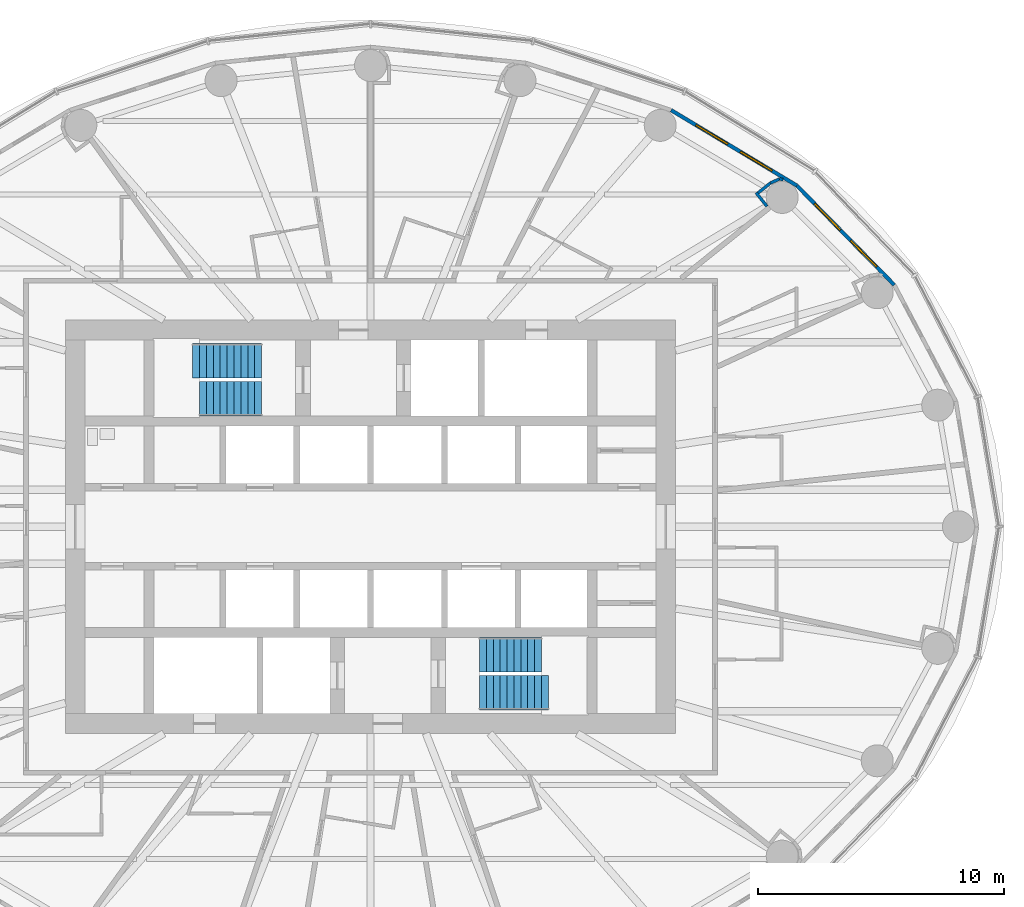
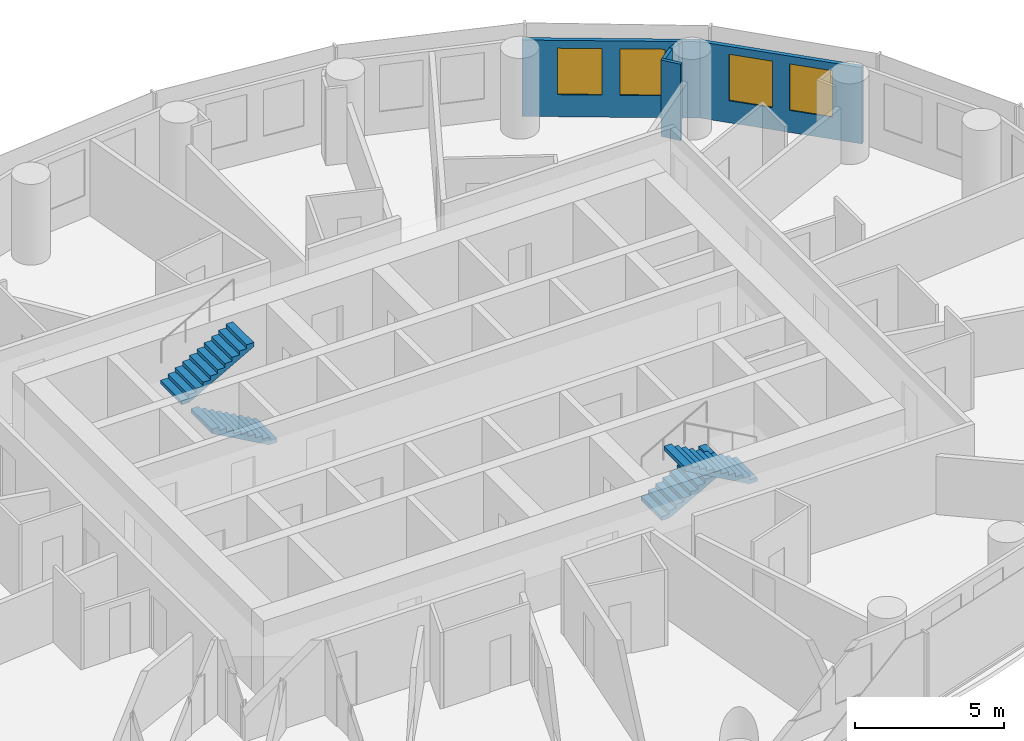
# One storey, part 12 of 14: 6 walls, 4 stair flights, 4 windows, 4 openings, 2 elements without a shape of their own.
"""IFC4 building model written with IfcOpenShell, lengths in metres."""

from ifc_helpers import new_model, si_unit, direction, frame, frame_2d, origin, place, context, subcontext, project, spatial, polyline, rectangle, outline, extrude, material, layer, layer_set, type_object, element, fill, aggregate, save


model = new_model("IFC4")

# Units and contexts
model_context = context("Model", 3, precision=1e-05, world=origin(), true_north=direction((0.0, 1.0)))
body_context = subcontext(model_context, "Body", "Model", "MODEL_VIEW")
ifc_project = project(units=[si_unit("LENGTHUNIT", "METRE"), si_unit("AREAUNIT", "SQUARE_METRE"), si_unit("VOLUMEUNIT", "CUBIC_METRE"), si_unit("PLANEANGLEUNIT", "RADIAN"), si_unit("MASSUNIT", "GRAM", prefix="KILO")], contexts=[model_context])

# Site, building, storey
site_placement = place(None, origin())
site = spatial("IfcSite", under=ifc_project, at=site_placement, CompositionType="ELEMENT")
building_placement = place(site_placement, origin())
building = spatial("IfcBuilding", under=site, at=building_placement, Name="Hankou Lantern Tower", CompositionType="ELEMENT")
storey_placement = place(building_placement, frame((0.0, 0.0, 115.5)))
storey = spatial("IfcBuildingStorey", under=building, at=storey_placement, Name="L29", CompositionType="ELEMENT", Elevation=115.5)

# Wall, openings, windows
ifc_material_1 = material(Name="Aluminium spandrel panel on steel studs", Category="steel")
ifc_layer_1 = layer(ifc_material_1, 0.14990234375)
ifc_layer_set_1 = layer_set([ifc_layer_1], Name="Aluminium spandrel panel on steel studs")
wall_type_1 = type_object("IfcWallType", Name="EW1 INNER SKIN WALL 150", PredefinedType="ELEMENTEDWALL", material=ifc_layer_set_1)
wall_1_placement = place(storey_placement, frame((21.287353515625, 9.83203125, 0.0), z_axis=(0.0, 0.0, 1.0), x_axis=(-0.700136650834, 0.714008872605, 0.0)))
wall_1 = element("IfcWall", 1, at=wall_1_placement, inside=storey, type_object=wall_type_1, Name="Inner skin R03-R04 L29", PredefinedType="ELEMENTEDWALL", context=body_context, shape_type="SweptSolid", body=[
    extrude(rectangle(XDim=5.6494140625, YDim=0.14990234375, at=frame_2d((2.82470703125, 0.0))), origin(), (0.0, 0.0, 1.0), 3.1201171875),
])
opening_1_placement = place(wall_1_placement, frame((1.024658203125, 0.0, 0.89990234375)))
opening_1 = element("IfcOpeningElement", 2, at=opening_1_placement, cuts=wall_1, Name="Opening W2", PredefinedType="OPENING", context=body_context, shape_type="SweptSolid", body=[
    extrude(rectangle(XDim=1.5, YDim=1.89990234375, at=frame_2d((0.75, 0.949951171875))), frame((0.0, 0.0849609375, 0.0), z_axis=(0.0, -1.0, 0.0), x_axis=(1.0, 0.0, 0.0)), (0.0, 0.0, 1.0), 0.169921875),
])
opening_2_placement = place(wall_1_placement, frame((3.12451171875, 0.0, 0.89990234375)))
opening_2 = element("IfcOpeningElement", 3, at=opening_2_placement, cuts=wall_1, Name="Opening W2", PredefinedType="OPENING", context=body_context, shape_type="SweptSolid", body=[
    extrude(rectangle(XDim=1.5, YDim=1.89990234375, at=frame_2d((0.75, 0.949951171875))), frame((0.0, 0.0849609375, 0.0), z_axis=(0.0, -1.0, 0.0), x_axis=(1.0, 0.0, 0.0)), (0.0, 0.0, 1.0), 0.169921875),
])
ifc_material_2 = material(Name="Aluminium framed double glazed window", Category="aluminium")
window_type = type_object("IfcWindowType", Name="W2 GUEST ROOM WINDOW 1500X1900", PartitioningType="DOUBLE_PANEL_VERTICAL", PredefinedType="WINDOW", material=ifc_material_2)
window_1_placement = place(opening_1_placement, origin())
window_1 = element("IfcWindow", 4, at=window_1_placement, inside=storey, type_object=window_type, Name="Window R03.1 L29", OverallHeight=1.89990234375, OverallWidth=1.5, PartitioningType="SINGLE_PANEL", PredefinedType="WINDOW", context=body_context, shape_type="SweptSolid", body=[
    extrude(rectangle(XDim=1.5, YDim=1.89990234375, at=frame_2d((0.75, 0.949951171875))), frame((0.0, 0.030029296875, 0.0), z_axis=(0.0, -1.0, 0.0), x_axis=(1.0, 0.0, 0.0)), (0.0, 0.0, 1.0), 0.06005859375),
])
fill(opening_1, window_1)
window_2_placement = place(opening_2_placement, origin())
window_2 = element("IfcWindow", 5, at=window_2_placement, inside=storey, type_object=window_type, Name="Window R03.2 L29", OverallHeight=1.89990234375, OverallWidth=1.5, PartitioningType="SINGLE_PANEL", PredefinedType="WINDOW", context=body_context, shape_type="SweptSolid", body=[
    extrude(rectangle(XDim=1.5, YDim=1.89990234375, at=frame_2d((0.75, 0.949951171875))), frame((0.0, 0.030029296875, 0.0), z_axis=(0.0, -1.0, 0.0), x_axis=(1.0, 0.0, 0.0)), (0.0, 0.0, 1.0), 0.06005859375),
])
fill(opening_2, window_2)

wall_2_placement = place(storey_placement, frame((17.33203125, 13.86572265625, 0.0), z_axis=(0.0, 0.0, 1.0), x_axis=(-0.857308573723, 0.514802884044, 0.0)))
wall_2 = element("IfcWall", 6, at=wall_2_placement, inside=storey, type_object=wall_type_1, Name="Inner skin R04-R05 L29", PredefinedType="ELEMENTEDWALL", context=body_context, shape_type="SweptSolid", body=[
    extrude(rectangle(XDim=5.961181640625, YDim=0.14990234375, at=frame_2d((2.98046875, 0.0))), origin(), (0.0, 0.0, 1.0), 3.1201171875),
])
opening_3_placement = place(wall_2_placement, frame((1.1806640625, 0.0, 0.89990234375)))
opening_3 = element("IfcOpeningElement", 7, at=opening_3_placement, cuts=wall_2, Name="Opening W2", PredefinedType="OPENING", context=body_context, shape_type="SweptSolid", body=[
    extrude(rectangle(XDim=1.5, YDim=1.89990234375, at=frame_2d((0.75, 0.949951171875))), frame((0.0, 0.0849609375, 0.0), z_axis=(0.0, -1.0, 0.0), x_axis=(1.0, 0.0, 0.0)), (0.0, 0.0, 1.0), 0.169921875),
])
opening_4_placement = place(wall_2_placement, frame((3.280517578125, 0.0, 0.89990234375)))
opening_4 = element("IfcOpeningElement", 8, at=opening_4_placement, cuts=wall_2, Name="Opening W2", PredefinedType="OPENING", context=body_context, shape_type="SweptSolid", body=[
    extrude(rectangle(XDim=1.5, YDim=1.89990234375, at=frame_2d((0.75, 0.949951171875))), frame((0.0, 0.0849609375, 0.0), z_axis=(0.0, -1.0, 0.0), x_axis=(1.0, 0.0, 0.0)), (0.0, 0.0, 1.0), 0.169921875),
])
window_3_placement = place(opening_3_placement, origin())
window_3 = element("IfcWindow", 9, at=window_3_placement, inside=storey, type_object=window_type, Name="Window R04.1 L29", OverallHeight=1.89990234375, OverallWidth=1.5, PartitioningType="SINGLE_PANEL", PredefinedType="WINDOW", context=body_context, shape_type="SweptSolid", body=[
    extrude(rectangle(XDim=1.5, YDim=1.89990234375, at=frame_2d((0.75, 0.949951171875))), frame((0.0, 0.030029296875, 0.0), z_axis=(0.0, -1.0, 0.0), x_axis=(1.0, 0.0, 0.0)), (0.0, 0.0, 1.0), 0.06005859375),
])
fill(opening_3, window_3)
window_4_placement = place(opening_4_placement, origin())
window_4 = element("IfcWindow", 10, at=window_4_placement, inside=storey, type_object=window_type, Name="Window R04.2 L29", OverallHeight=1.89990234375, OverallWidth=1.5, PartitioningType="SINGLE_PANEL", PredefinedType="WINDOW", context=body_context, shape_type="SweptSolid", body=[
    extrude(rectangle(XDim=1.5, YDim=1.89990234375, at=frame_2d((0.75, 0.949951171875))), frame((0.0, 0.030029296875, 0.0), z_axis=(0.0, -1.0, 0.0), x_axis=(1.0, 0.0, 0.0)), (0.0, 0.0, 1.0), 0.06005859375),
])
fill(opening_4, window_4)

# Walls
ifc_material_3 = material(Name="Masonry lightweight concrete block", Category="masonry")
ifc_layer_2 = layer(ifc_material_3, 0.1201171875)
ifc_layer_set_2 = layer_set([ifc_layer_2], Name="Masonry lightweight concrete block")
wall_type_2 = type_object("IfcWallType", Name="IW4 PARTITION 120", PredefinedType="PARTITIONING", material=ifc_layer_set_2)
wall_3_placement = place(storey_placement, frame((16.116943359375, 13.021728515625, 0.0), z_axis=(0.0, 0.0, 1.0), x_axis=(-0.62465344249, 0.780902091677, 0.0)))
element("IfcWall", 11, at=wall_3_placement, inside=storey, type_object=wall_type_2, Name="Column casing R04 return", PredefinedType="PARTITIONING", context=body_context, shape_type="SweptSolid", body=[
    extrude(rectangle(XDim=0.715576171875, YDim=0.1201171875, at=frame_2d((0.35791015625, 0.0))), origin(), (0.0, 0.0, 1.0), 3.1201171875),
])
wall_4_placement = place(storey_placement, frame((15.754150390625, 13.5712890625, 0.0), z_axis=(0.0, 0.0, 1.0), x_axis=(0.780905453553, 0.624649239663, 0.0)))
element("IfcWall", 12, at=wall_4_placement, inside=storey, type_object=wall_type_2, Name="Column casing R04", PredefinedType="PARTITIONING", context=body_context, shape_type="SweptSolid", body=[
    extrude(rectangle(XDim=0.64990234375, YDim=0.1201171875, at=frame_2d((0.324951171875, 0.0))), origin(), (0.0, 0.0, 1.0), 3.1201171875),
])
wall_5_placement = place(storey_placement, frame((16.26171875, 13.977294921875, 0.0), z_axis=(0.0, 0.0, 1.0), x_axis=(0.915985403703, 0.401211590314, 0.0)))
element("IfcWall", 13, at=wall_5_placement, inside=storey, type_object=wall_type_2, Name="Column casing R04", PredefinedType="PARTITIONING", context=body_context, shape_type="SweptSolid", body=[
    extrude(rectangle(XDim=0.391357421875, YDim=0.1201171875, at=frame_2d((0.19580078125, 0.0))), origin(), (0.0, 0.0, 1.0), 3.1201171875),
])
wall_6_placement = place(storey_placement, frame((16.6201171875, 14.13427734375, 0.0), z_axis=(0.0, 0.0, 1.0), x_axis=(0.993941871493, -0.109907033867, 0.0)))
element("IfcWall", 14, at=wall_6_placement, inside=storey, type_object=wall_type_2, Name="Column casing R04", PredefinedType="PARTITIONING", context=body_context, shape_type="SweptSolid", body=[
    extrude(rectangle(XDim=0.1533203125, YDim=0.1201171875, at=frame_2d((0.07666015625, 0.0))), origin(), (0.0, 0.0, 1.0), 3.1201171875),
])

# Stair, stair flight
ifc_material_4 = material(Name="Concrete C40", Category="concrete")
stair_type = type_object("IfcStairType", Name="ST33 CORE STAIR 3300 RISE", PredefinedType="HALF_TURN_STAIR", material=ifc_material_4)
stair_1_placement = place(storey_placement, origin())
stair_1 = element("IfcStair", 15, at=stair_1_placement, inside=storey, type_object=stair_type, Name="Stair STA L29", PredefinedType="HALF_TURN_STAIR")
ifc_material_5 = material(Name="Concrete C40", Category="concrete")
stair_flight_type_1 = type_object("IfcStairFlightType", Name="CF10 CORE STAIR FLIGHT 1400 X 10 RISERS", PredefinedType="STRAIGHT", material=ifc_material_5)
stair_flight_1_placement = place(storey_placement, frame((-4.429931640625, 5.199951171875, 0.0), z_axis=(0.0, 0.0, 1.0), x_axis=(-1.0, 0.0, 0.0)))
stair_flight_1 = element("IfcStairFlight", 16, at=stair_flight_1_placement, type_object=stair_flight_type_1, Name="STA flight 1", NumberOfRisers=10, NumberOfTreads=9, PredefinedType="STRAIGHT", RiserHeight=0.157142857, TreadLength=0.28, context=body_context, shape_type="SweptSolid", body=[
    extrude(outline(polyline([(0.0, 0.0), (0.0, 0.1572265625), (0.280029296875, 0.1572265625), (0.280029296875, 0.314208984375), (0.56005859375, 0.314208984375), (0.56005859375, 0.471435546875), (0.840087890625, 0.471435546875), (0.840087890625, 0.628662109375), (1.1201171875, 0.628662109375), (1.1201171875, 0.78564453125), (1.39990234375, 0.78564453125), (1.39990234375, 0.94287109375), (1.679931640625, 0.94287109375), (1.679931640625, 1.10009765625), (1.9599609375, 1.10009765625), (1.9599609375, 1.257080078125), (2.239990234375, 1.257080078125), (2.239990234375, 1.414306640625), (2.52001953125, 1.414306640625), (2.52001953125, 1.571533203125), (2.52001953125, 1.242431640625), (0.306396484375, 0.0), (0.0, 0.0)])), frame((0.0, 0.699951171875, 0.0), z_axis=(0.0, -1.0, 0.0), x_axis=(1.0, 0.0, 0.0)), (0.0, 0.0, 1.0), 1.39990234375),
])

stair_2_placement = place(storey_placement, origin())
stair_2 = element("IfcStair", 17, at=stair_2_placement, inside=storey, type_object=stair_type, Name="Stair STB L29", PredefinedType="HALF_TURN_STAIR")
stair_flight_2_placement = place(storey_placement, frame((4.429931640625, -5.199951171875, 0.0), z_axis=(0.0, 0.0, 1.0), x_axis=(1.0, 0.0, 0.0)))
stair_flight_2 = element("IfcStairFlight", 18, at=stair_flight_2_placement, type_object=stair_flight_type_1, Name="STB flight 1", NumberOfRisers=10, NumberOfTreads=9, PredefinedType="STRAIGHT", RiserHeight=0.157142857, TreadLength=0.28, context=body_context, shape_type="SweptSolid", body=[
    extrude(outline(polyline([(0.0, 0.0), (0.0, 0.1572265625), (0.280029296875, 0.1572265625), (0.280029296875, 0.314208984375), (0.56005859375, 0.314208984375), (0.56005859375, 0.471435546875), (0.840087890625, 0.471435546875), (0.840087890625, 0.628662109375), (1.1201171875, 0.628662109375), (1.1201171875, 0.78564453125), (1.39990234375, 0.78564453125), (1.39990234375, 0.94287109375), (1.679931640625, 0.94287109375), (1.679931640625, 1.10009765625), (1.9599609375, 1.10009765625), (1.9599609375, 1.257080078125), (2.239990234375, 1.257080078125), (2.239990234375, 1.414306640625), (2.52001953125, 1.414306640625), (2.52001953125, 1.571533203125), (2.52001953125, 1.242431640625), (0.306396484375, 0.0), (0.0, 0.0)])), frame((0.0, 0.699951171875, 0.0), z_axis=(0.0, -1.0, 0.0), x_axis=(1.0, 0.0, 0.0)), (0.0, 0.0, 1.0), 1.39990234375),
])

# Stair flight
ifc_material_6 = material(Name="Concrete C40", Category="concrete")
stair_flight_type_2 = type_object("IfcStairFlightType", Name="CF11 CORE STAIR FLIGHT 1400 X 11 RISERS", PredefinedType="STRAIGHT", material=ifc_material_6)
stair_flight_3_placement = place(storey_placement, frame((-7.22998046875, 6.75, 1.571533203125), z_axis=(0.0, 0.0, 1.0), x_axis=(1.0, 0.0, 0.0)))
stair_flight_3 = element("IfcStairFlight", 19, at=stair_flight_3_placement, type_object=stair_flight_type_2, Name="STA flight 2", NumberOfRisers=11, NumberOfTreads=10, PredefinedType="STRAIGHT", RiserHeight=0.157142857, TreadLength=0.28, context=body_context, shape_type="SweptSolid", body=[
    extrude(outline(polyline([(0.0, 0.0), (0.0, 0.1572265625), (0.280029296875, 0.1572265625), (0.280029296875, 0.314208984375), (0.56005859375, 0.314208984375), (0.56005859375, 0.471435546875), (0.840087890625, 0.471435546875), (0.840087890625, 0.628662109375), (1.1201171875, 0.628662109375), (1.1201171875, 0.78564453125), (1.39990234375, 0.78564453125), (1.39990234375, 0.94287109375), (1.679931640625, 0.94287109375), (1.679931640625, 1.10009765625), (1.9599609375, 1.10009765625), (1.9599609375, 1.257080078125), (2.239990234375, 1.257080078125), (2.239990234375, 1.414306640625), (2.52001953125, 1.414306640625), (2.52001953125, 1.571533203125), (2.800048828125, 1.571533203125), (2.800048828125, 1.728515625), (2.800048828125, 1.3994140625), (0.306396484375, 0.0), (0.0, 0.0)])), frame((0.0, 0.699951171875, 0.0), z_axis=(0.0, -1.0, 0.0), x_axis=(1.0, 0.0, 0.0)), (0.0, 0.0, 1.0), 1.39990234375),
])

aggregate(stair_1, [stair_flight_1, stair_flight_3])

stair_flight_4_placement = place(storey_placement, frame((7.22998046875, -6.75, 1.571533203125), z_axis=(0.0, 0.0, 1.0), x_axis=(-1.0, 0.0, 0.0)))
stair_flight_4 = element("IfcStairFlight", 20, at=stair_flight_4_placement, type_object=stair_flight_type_2, Name="STB flight 2", NumberOfRisers=11, NumberOfTreads=10, PredefinedType="STRAIGHT", RiserHeight=0.157142857, TreadLength=0.28, context=body_context, shape_type="SweptSolid", body=[
    extrude(outline(polyline([(0.0, 0.0), (0.0, 0.1572265625), (0.280029296875, 0.1572265625), (0.280029296875, 0.314208984375), (0.56005859375, 0.314208984375), (0.56005859375, 0.471435546875), (0.840087890625, 0.471435546875), (0.840087890625, 0.628662109375), (1.1201171875, 0.628662109375), (1.1201171875, 0.78564453125), (1.39990234375, 0.78564453125), (1.39990234375, 0.94287109375), (1.679931640625, 0.94287109375), (1.679931640625, 1.10009765625), (1.9599609375, 1.10009765625), (1.9599609375, 1.257080078125), (2.239990234375, 1.257080078125), (2.239990234375, 1.414306640625), (2.52001953125, 1.414306640625), (2.52001953125, 1.571533203125), (2.800048828125, 1.571533203125), (2.800048828125, 1.728515625), (2.800048828125, 1.3994140625), (0.306396484375, 0.0), (0.0, 0.0)])), frame((0.0, 0.699951171875, 0.0), z_axis=(0.0, -1.0, 0.0), x_axis=(1.0, 0.0, 0.0)), (0.0, 0.0, 1.0), 1.39990234375),
])

aggregate(stair_2, [stair_flight_2, stair_flight_4])

save(model, "model.ifc")
